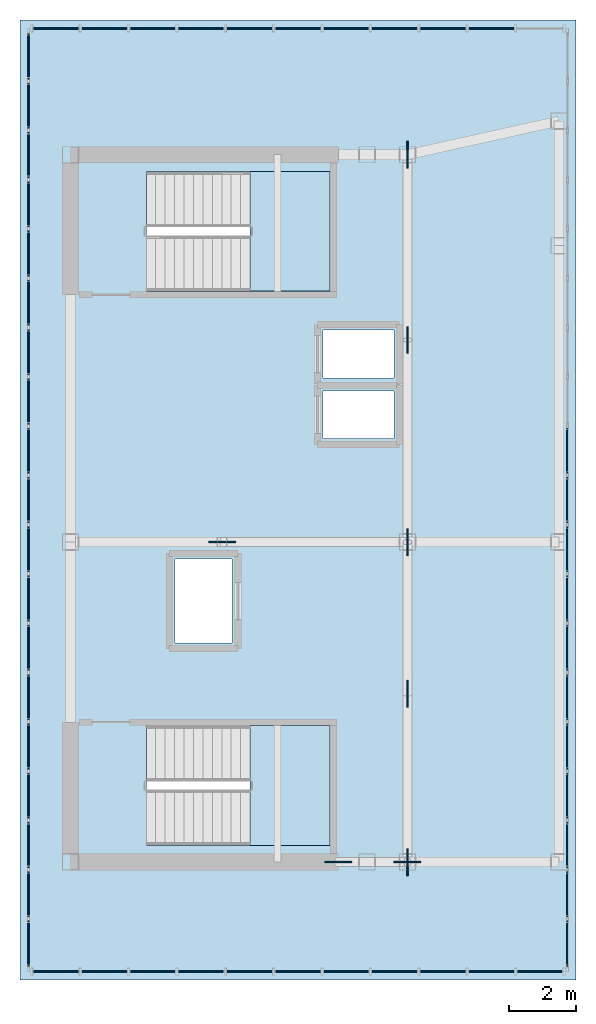
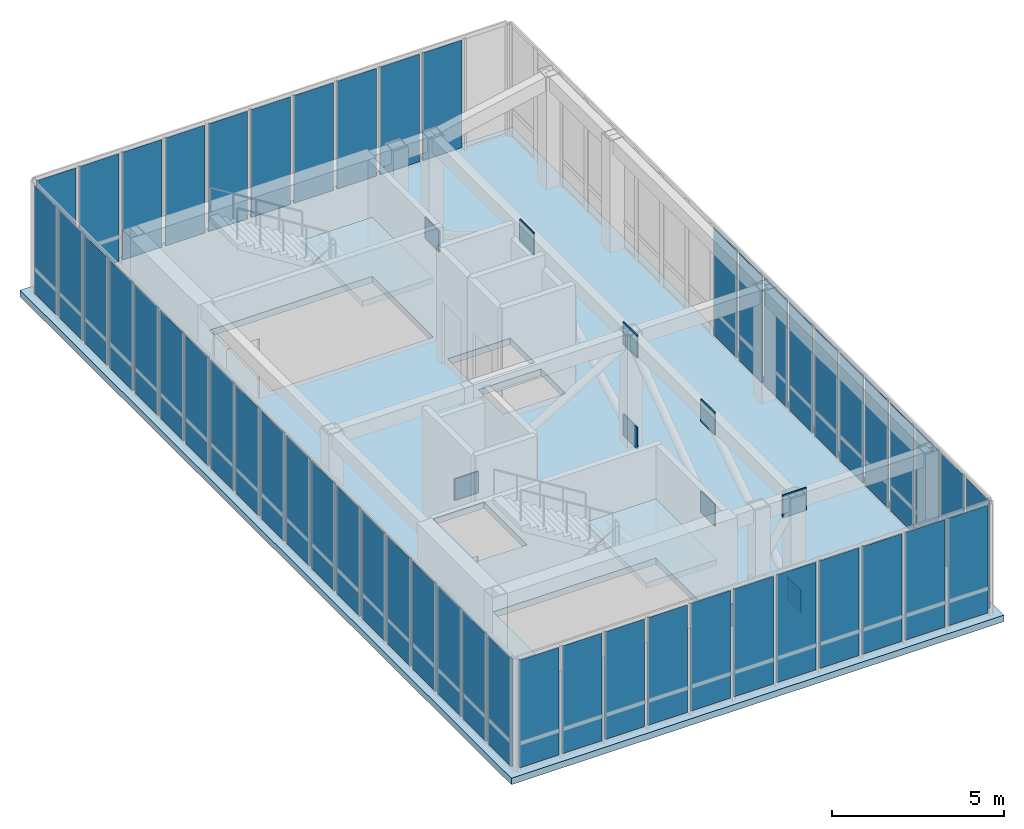
# One storey, part 11 of 13: 61 plates, 3 slabs, 6 elements without a shape of their own.
"""IFC4 building model written with IfcOpenShell, lengths in metres."""

from ifc_helpers import new_model, si_unit, direction, frame, origin, origin_2d, place, context, subcontext, project, spatial, polyline, rectangle, outline, extrude, source, transform, mapped, material, layer, layer_set, type_object, element, aggregate, save


model = new_model("IFC4")

# Units and contexts
model_context = context("Model", 3, precision=1e-05, world=origin(), true_north=direction((0.0, 1.0)))
body_context = subcontext(model_context, "Body", "Model", "MODEL_VIEW")
ifc_project = project(units=[si_unit("LENGTHUNIT", "METRE"), si_unit("AREAUNIT", "SQUARE_METRE"), si_unit("VOLUMEUNIT", "CUBIC_METRE"), si_unit("PLANEANGLEUNIT", "RADIAN"), si_unit("MASSUNIT", "GRAM", prefix="KILO")], contexts=[model_context])

# Site, building, storey
site_placement = place(None, origin())
site = spatial("IfcSite", under=ifc_project, at=site_placement, CompositionType="ELEMENT")
building_placement = place(site_placement, origin())
building = spatial("IfcBuilding", under=site, at=building_placement, Name="Kharzan Plaza Tower", CompositionType="ELEMENT")
storey_placement = place(building_placement, frame((0.0, 0.0, 289.800048828125)))
storey = spatial("IfcBuildingStorey", under=building, at=storey_placement, Name="L78-CROWN", CompositionType="ELEMENT", Elevation=289.800048828125)

# Slab
ifc_material_1 = material(Name="Concrete C40/50", Category="concrete")
ifc_layer_1 = layer(ifc_material_1, 0.22998046875)
ifc_layer_set_1 = layer_set([ifc_layer_1], Name="Concrete C40/50")
slab_type_1 = type_object("IfcSlabType", Name="SL-FLOOR-230", PredefinedType="FLOOR", material=ifc_layer_set_1)
slab_1_placement = place(storey_placement, frame((0.0, 0.0, -0.22998046875)))
element("IfcSlab", 1, at=slab_1_placement, inside=storey, type_object=slab_type_1, Name="L78-CROWN Composite Structural Floor Slab 230 mm", PredefinedType="FLOOR", context=body_context, shape_type="SweptSolid", body=[
    extrude(outline(polyline([(3.0, 5.0), (19.5, 5.0), (19.5, 33.5), (3.0, 33.5), (3.0, 5.0)]), holes=[polyline([(6.75, 12.550048828125), (6.75, 9.0), (12.199951171875, 9.0), (12.199951171875, 12.550048828125), (6.75, 12.550048828125)]), polyline([(7.60009765625, 17.5), (7.60009765625, 15.0), (9.300048828125, 15.0), (9.300048828125, 17.5), (7.60009765625, 17.5)]), polyline([(12.0, 22.489990234375), (12.0, 21.070068359375), (14.10009765625, 21.070068359375), (14.10009765625, 22.489990234375), (12.0, 22.489990234375)]), polyline([(14.10009765625, 24.2900390625), (12.0, 24.2900390625), (12.0, 22.8701171875), (14.10009765625, 22.8701171875), (14.10009765625, 24.2900390625)]), polyline([(12.199951171875, 29.0), (6.75, 29.0), (6.75, 25.449951171875), (12.199951171875, 25.449951171875), (12.199951171875, 29.0)])]), origin(), (0.0, 0.0, 1.0), 0.22998046875),
])

# Stair, slab
stair_type_1 = type_object("IfcStairType", Name="STR-ST-1", PredefinedType="HALF_TURN_STAIR", material=ifc_material_1)
stair_1_placement = place(storey_placement, origin())
stair_1 = element("IfcStair", 2, at=stair_1_placement, inside=storey, type_object=stair_type_1, Name="L78-CROWN Protected Exit Stair ST-1", PredefinedType="HALF_TURN_STAIR")
ifc_layer_2 = layer(ifc_material_1, 0.219970703125)
ifc_layer_set_2 = layer_set([ifc_layer_2], Name="Concrete C40/50")
slab_type_2 = type_object("IfcSlabType", Name="SL-LANDING-220", PredefinedType="LANDING", material=ifc_layer_set_2)
slab_2_placement = place(storey_placement, frame((0.0, 0.0, 1.89990234375)))
slab_2 = element("IfcSlab", 3, at=slab_2_placement, type_object=slab_type_2, Name="ST-1 landing 1", PredefinedType="LANDING", context=body_context, shape_type="SweptSolid", body=[
    extrude(outline(polyline([(9.830078125, 9.0), (12.199951171875, 9.0), (12.199951171875, 12.550048828125), (9.830078125, 12.550048828125), (9.830078125, 9.0)])), origin(), (0.0, 0.0, 1.0), 0.199951171875),
])
aggregate(stair_1, [slab_2])

stair_type_2 = type_object("IfcStairType", Name="STR-ST-2", PredefinedType="HALF_TURN_STAIR", material=ifc_material_1)
stair_2_placement = place(storey_placement, origin())
stair_2 = element("IfcStair", 4, at=stair_2_placement, inside=storey, type_object=stair_type_2, Name="L78-CROWN Protected Exit Stair ST-2", PredefinedType="HALF_TURN_STAIR")
slab_3_placement = place(storey_placement, frame((0.0, 0.0, 1.89990234375)))
slab_3 = element("IfcSlab", 5, at=slab_3_placement, type_object=slab_type_2, Name="ST-2 landing 1", PredefinedType="LANDING", context=body_context, shape_type="SweptSolid", body=[
    extrude(outline(polyline([(9.830078125, 25.449951171875), (12.199951171875, 25.449951171875), (12.199951171875, 29.0), (9.830078125, 29.0), (9.830078125, 25.449951171875)])), origin(), (0.0, 0.0, 1.0), 0.199951171875),
])
aggregate(stair_2, [slab_3])

# Plates
ifc_material_2 = material(Name="Steel S460", Category="steel")
ifc_layer_3 = layer(ifc_material_2, 0.044921875)
ifc_layer_set_3 = layer_set([ifc_layer_3], Name="Steel S460")
plate_type_1 = type_object("IfcPlateType", Name="PLT-OTN1", PredefinedType="USERDEFINED", material=ifc_layer_set_3)
shared_shape_1 = source(origin(), body_context, "Body", "SweptSolid", [
    extrude(rectangle(XDim=0.800048828125, YDim=0.0400390625, at=origin_2d()), origin(), (0.0, 0.0, 1.0), 0.800048828125),
])
for number, where, z_axis, x_axis, name in (
    (6, (14.5, 18.0, -0.05029296875), (0.0, 0.0, 1.0), (0.0, 1.0, 0.0), "L78-CROWN CROWN FRAME Brace End Gusset Plate OTN1-CRD-E1-A"),
    (7, (14.5, 29.5, -0.05029296875), (0.0, 0.0, 1.0), (0.0, -1.0, 0.0), "L78-CROWN CROWN FRAME Brace End Gusset Plate OTN1-CRD-N1-A"),
    (8, (14.5, 24.0, 3.2197265625), (0.0, 0.0, 1.0), (0.0, -1.0, 0.0), "L78-CROWN CROWN FRAME Brace End Gusset Plate OTN1-CRD-N1-B"),
    (9, (12.449951171875, 8.5, -0.05029296875), (0.0, 0.0, 1.0), (1.0, 0.0, 0.0), "L78-CROWN CROWN FRAME Brace End Gusset Plate OTN1-CRD-N2-A"),
    (10, (14.5, 8.5, 3.2197265625), (0.0, 0.0, 1.0), (1.0, 0.0, 0.0), "L78-CROWN CROWN FRAME Brace End Gusset Plate OTN1-CRD-N2-B"),
    (11, (14.5, 8.5, -0.05029296875), (0.0, 0.0, 1.0), (0.0, 1.0, 0.0), "L78-CROWN CROWN FRAME Brace End Gusset Plate OTN1-CRD-S1-A"),
    (12, (14.5, 13.5, 3.2197265625), (0.0, 0.0, 1.0), (0.0, 1.0, 0.0), "L78-CROWN CROWN FRAME Brace End Gusset Plate OTN1-CRD-S1-B"),
    (13, (14.5, 13.5, -0.05029296875), (0.0, 0.0, 1.0), (0.0, 1.0, 0.0), "L78-CROWN CROWN FRAME Brace End Gusset Plate OTN1-CRD-S2-A"),
    (14, (14.5, 18.0, 3.2197265625), (0.0, 0.0, 1.0), (0.0, 1.0, 0.0), "L78-CROWN CROWN FRAME Brace End Gusset Plate OTN1-CRD-S2-B"),
    (15, (9.0, 18.0, -0.05029296875), (0.0, 0.0, 1.0), (1.0, 0.0, 0.0), "L78-CROWN CROWN FRAME Brace End Gusset Plate OTN1-CRD-W1-A"),
):
    element("IfcPlate", number, at=place(storey_placement, frame(where, z_axis=z_axis, x_axis=x_axis)), inside=storey, type_object=plate_type_1, Name=name, ObjectType="GUSSET_PLATE", PredefinedType="USERDEFINED", context=body_context, shape_type="MappedRepresentation", body=[
        mapped(shared_shape_1, transform((0.0, 0.0, 0.0), x_axis=(1.0, 0.0, 0.0), y_axis=(0.0, 1.0, 0.0), z_axis=(0.0, 0.0, 1.0))),
    ])

# Curtain wall, plates
ifc_material_3 = material(Name="Unitised Bronze-Anodized Aluminium and Low-E Glass", Category="aluminium")
ifc_layer_4 = layer(ifc_material_3, 0.199951171875)
ifc_layer_set_4 = layer_set([ifc_layer_4], Name="Unitised Bronze-Anodized Aluminium and Low-E Glass")
curtain_wall_type = type_object("IfcCurtainWallType", Name="CW-LANTERN-6", PredefinedType="NOTDEFINED", material=ifc_layer_set_4)
curtain_wall_1_placement = place(storey_placement, origin())
curtain_wall_1 = element("IfcCurtainWall", 16, at=curtain_wall_1_placement, inside=storey, type_object=curtain_wall_type, Name="L78-CROWN Lantern Crown Illuminated Curtain Wall 1", PredefinedType="NOTDEFINED")
ifc_material_4 = material(Name="Low-Iron Fritted Lantern Crown Glazing", Category="glass")
ifc_layer_5 = layer(ifc_material_4, 0.035888671875)
ifc_layer_set_5 = layer_set([ifc_layer_5], Name="Low-Iron Fritted Lantern Crown Glazing")
plate_type_2 = type_object("IfcPlateType", Name="PLT-CW-LANTERN", PredefinedType="CURTAIN_PANEL", material=ifc_layer_set_5)
shared_shape_2 = source(origin(), body_context, "Body", "SweptSolid", [
    extrude(rectangle(XDim=1.31640625, YDim=0.035888671875, at=origin_2d()), origin(), (0.0, 0.0, 1.0), 3.81005859375),
])
plate_1_placement = place(storey_placement, frame((4.068115234375, 5.25, 0.079833984375), z_axis=(0.0, 0.0, 1.0), x_axis=(1.0, 0.0, 0.0)))
plate_1 = element("IfcPlate", 17, at=plate_1_placement, type_object=plate_type_2, Name="L78-CROWN Curtain-Wall Glazed Panel 00", PredefinedType="CURTAIN_PANEL", context=body_context, shape_type="MappedRepresentation", body=[
    mapped(shared_shape_2, transform((0.0, 0.0, 0.0), x_axis=(1.0, 0.0, 0.0), y_axis=(0.0, 1.0, 0.0), z_axis=(0.0, 0.0, 1.0))),
])
plate_2_placement = place(storey_placement, frame((5.50439453125, 5.25, 0.079833984375), z_axis=(0.0, 0.0, 1.0), x_axis=(1.0, 0.0, 0.0)))
plate_2 = element("IfcPlate", 18, at=plate_2_placement, type_object=plate_type_2, Name="L78-CROWN Curtain-Wall Glazed Panel 01", PredefinedType="CURTAIN_PANEL", context=body_context, shape_type="MappedRepresentation", body=[
    mapped(shared_shape_2, transform((0.0, 0.0, 0.0), x_axis=(1.0, 0.0, 0.0), y_axis=(0.0, 1.0, 0.0), z_axis=(0.0, 0.0, 1.0))),
])
plate_3_placement = place(storey_placement, frame((6.94091796875, 5.25, 0.079833984375), z_axis=(0.0, 0.0, 1.0), x_axis=(1.0, 0.0, 0.0)))
plate_3 = element("IfcPlate", 19, at=plate_3_placement, type_object=plate_type_2, Name="L78-CROWN Curtain-Wall Glazed Panel 02", PredefinedType="CURTAIN_PANEL", context=body_context, shape_type="MappedRepresentation", body=[
    mapped(shared_shape_2, transform((0.0, 0.0, 0.0), x_axis=(1.0, 0.0, 0.0), y_axis=(0.0, 1.0, 0.0), z_axis=(0.0, 0.0, 1.0))),
])
plate_4_placement = place(storey_placement, frame((8.377197265625, 5.25, 0.079833984375), z_axis=(0.0, 0.0, 1.0), x_axis=(1.0, 0.0, 0.0)))
plate_4 = element("IfcPlate", 20, at=plate_4_placement, type_object=plate_type_2, Name="L78-CROWN Curtain-Wall Glazed Panel 03", PredefinedType="CURTAIN_PANEL", context=body_context, shape_type="MappedRepresentation", body=[
    mapped(shared_shape_2, transform((0.0, 0.0, 0.0), x_axis=(1.0, 0.0, 0.0), y_axis=(0.0, 1.0, 0.0), z_axis=(0.0, 0.0, 1.0))),
])
plate_5_placement = place(storey_placement, frame((9.813720703125, 5.25, 0.079833984375), z_axis=(0.0, 0.0, 1.0), x_axis=(1.0, 0.0, 0.0)))
plate_5 = element("IfcPlate", 21, at=plate_5_placement, type_object=plate_type_2, Name="L78-CROWN Curtain-Wall Glazed Panel 04", PredefinedType="CURTAIN_PANEL", context=body_context, shape_type="MappedRepresentation", body=[
    mapped(shared_shape_2, transform((0.0, 0.0, 0.0), x_axis=(1.0, 0.0, 0.0), y_axis=(0.0, 1.0, 0.0), z_axis=(0.0, 0.0, 1.0))),
])
plate_6_placement = place(storey_placement, frame((11.25, 5.25, 0.079833984375), z_axis=(0.0, 0.0, 1.0), x_axis=(1.0, 0.0, 0.0)))
plate_6 = element("IfcPlate", 22, at=plate_6_placement, type_object=plate_type_2, Name="L78-CROWN Curtain-Wall Glazed Panel 05", PredefinedType="CURTAIN_PANEL", context=body_context, shape_type="MappedRepresentation", body=[
    mapped(shared_shape_2, transform((0.0, 0.0, 0.0), x_axis=(1.0, 0.0, 0.0), y_axis=(0.0, 1.0, 0.0), z_axis=(0.0, 0.0, 1.0))),
])
plate_7_placement = place(storey_placement, frame((12.686279296875, 5.25, 0.079833984375), z_axis=(0.0, 0.0, 1.0), x_axis=(1.0, 0.0, 0.0)))
plate_7 = element("IfcPlate", 23, at=plate_7_placement, type_object=plate_type_2, Name="L78-CROWN Curtain-Wall Glazed Panel 06", PredefinedType="CURTAIN_PANEL", context=body_context, shape_type="MappedRepresentation", body=[
    mapped(shared_shape_2, transform((0.0, 0.0, 0.0), x_axis=(1.0, 0.0, 0.0), y_axis=(0.0, 1.0, 0.0), z_axis=(0.0, 0.0, 1.0))),
])
plate_8_placement = place(storey_placement, frame((14.122802734375, 5.25, 0.079833984375), z_axis=(0.0, 0.0, 1.0), x_axis=(1.0, 0.0, 0.0)))
plate_8 = element("IfcPlate", 24, at=plate_8_placement, type_object=plate_type_2, Name="L78-CROWN Curtain-Wall Glazed Panel 07", PredefinedType="CURTAIN_PANEL", context=body_context, shape_type="MappedRepresentation", body=[
    mapped(shared_shape_2, transform((0.0, 0.0, 0.0), x_axis=(1.0, 0.0, 0.0), y_axis=(0.0, 1.0, 0.0), z_axis=(0.0, 0.0, 1.0))),
])
plate_9_placement = place(storey_placement, frame((15.55908203125, 5.25, 0.079833984375), z_axis=(0.0, 0.0, 1.0), x_axis=(1.0, 0.0, 0.0)))
plate_9 = element("IfcPlate", 25, at=plate_9_placement, type_object=plate_type_2, Name="L78-CROWN Curtain-Wall Glazed Panel 08", PredefinedType="CURTAIN_PANEL", context=body_context, shape_type="MappedRepresentation", body=[
    mapped(shared_shape_2, transform((0.0, 0.0, 0.0), x_axis=(1.0, 0.0, 0.0), y_axis=(0.0, 1.0, 0.0), z_axis=(0.0, 0.0, 1.0))),
])
plate_10_placement = place(storey_placement, frame((16.99560546875, 5.25, 0.079833984375), z_axis=(0.0, 0.0, 1.0), x_axis=(1.0, 0.0, 0.0)))
plate_10 = element("IfcPlate", 26, at=plate_10_placement, type_object=plate_type_2, Name="L78-CROWN Curtain-Wall Glazed Panel 09", PredefinedType="CURTAIN_PANEL", context=body_context, shape_type="MappedRepresentation", body=[
    mapped(shared_shape_2, transform((0.0, 0.0, 0.0), x_axis=(1.0, 0.0, 0.0), y_axis=(0.0, 1.0, 0.0), z_axis=(0.0, 0.0, 1.0))),
])
plate_11_placement = place(storey_placement, frame((18.431884765625, 5.25, 0.079833984375), z_axis=(0.0, 0.0, 1.0), x_axis=(1.0, 0.0, 0.0)))
plate_11 = element("IfcPlate", 27, at=plate_11_placement, type_object=plate_type_2, Name="L78-CROWN Curtain-Wall Glazed Panel 10", PredefinedType="CURTAIN_PANEL", context=body_context, shape_type="MappedRepresentation", body=[
    mapped(shared_shape_2, transform((0.0, 0.0, 0.0), x_axis=(1.0, 0.0, 0.0), y_axis=(0.0, 1.0, 0.0), z_axis=(0.0, 0.0, 1.0))),
])
aggregate(curtain_wall_1, [plate_1, plate_2, plate_3, plate_4, plate_5, plate_6, plate_7, plate_8, plate_9, plate_10, plate_11])

curtain_wall_2_placement = place(storey_placement, origin())
curtain_wall_2 = element("IfcCurtainWall", 28, at=curtain_wall_2_placement, inside=storey, type_object=curtain_wall_type, Name="L78-CROWN Lantern Crown Illuminated Curtain Wall 3", PredefinedType="NOTDEFINED")
plate_12_placement = place(storey_placement, frame((16.99560546875, 33.25, 0.079833984375), z_axis=(0.0, 0.0, 1.0), x_axis=(-1.0, 0.0, 0.0)))
plate_12 = element("IfcPlate", 29, at=plate_12_placement, type_object=plate_type_2, Name="L78-CROWN Curtain-Wall Glazed Panel 01", PredefinedType="CURTAIN_PANEL", context=body_context, shape_type="MappedRepresentation", body=[
    mapped(shared_shape_2, transform((0.0, 0.0, 0.0), x_axis=(1.0, 0.0, 0.0), y_axis=(0.0, 1.0, 0.0), z_axis=(0.0, 0.0, 1.0))),
])
plate_13_placement = place(storey_placement, frame((15.55908203125, 33.25, 0.079833984375), z_axis=(0.0, 0.0, 1.0), x_axis=(-1.0, 0.0, 0.0)))
plate_13 = element("IfcPlate", 30, at=plate_13_placement, type_object=plate_type_2, Name="L78-CROWN Curtain-Wall Glazed Panel 02", PredefinedType="CURTAIN_PANEL", context=body_context, shape_type="MappedRepresentation", body=[
    mapped(shared_shape_2, transform((0.0, 0.0, 0.0), x_axis=(1.0, 0.0, 0.0), y_axis=(0.0, 1.0, 0.0), z_axis=(0.0, 0.0, 1.0))),
])
plate_14_placement = place(storey_placement, frame((14.122802734375, 33.25, 0.079833984375), z_axis=(0.0, 0.0, 1.0), x_axis=(-1.0, 0.0, 0.0)))
plate_14 = element("IfcPlate", 31, at=plate_14_placement, type_object=plate_type_2, Name="L78-CROWN Curtain-Wall Glazed Panel 03", PredefinedType="CURTAIN_PANEL", context=body_context, shape_type="MappedRepresentation", body=[
    mapped(shared_shape_2, transform((0.0, 0.0, 0.0), x_axis=(1.0, 0.0, 0.0), y_axis=(0.0, 1.0, 0.0), z_axis=(0.0, 0.0, 1.0))),
])
plate_15_placement = place(storey_placement, frame((12.686279296875, 33.25, 0.079833984375), z_axis=(0.0, 0.0, 1.0), x_axis=(-1.0, 0.0, 0.0)))
plate_15 = element("IfcPlate", 32, at=plate_15_placement, type_object=plate_type_2, Name="L78-CROWN Curtain-Wall Glazed Panel 04", PredefinedType="CURTAIN_PANEL", context=body_context, shape_type="MappedRepresentation", body=[
    mapped(shared_shape_2, transform((0.0, 0.0, 0.0), x_axis=(1.0, 0.0, 0.0), y_axis=(0.0, 1.0, 0.0), z_axis=(0.0, 0.0, 1.0))),
])
plate_16_placement = place(storey_placement, frame((11.25, 33.25, 0.079833984375), z_axis=(0.0, 0.0, 1.0), x_axis=(-1.0, 0.0, 0.0)))
plate_16 = element("IfcPlate", 33, at=plate_16_placement, type_object=plate_type_2, Name="L78-CROWN Curtain-Wall Glazed Panel 05", PredefinedType="CURTAIN_PANEL", context=body_context, shape_type="MappedRepresentation", body=[
    mapped(shared_shape_2, transform((0.0, 0.0, 0.0), x_axis=(1.0, 0.0, 0.0), y_axis=(0.0, 1.0, 0.0), z_axis=(0.0, 0.0, 1.0))),
])
plate_17_placement = place(storey_placement, frame((9.813720703125, 33.25, 0.079833984375), z_axis=(0.0, 0.0, 1.0), x_axis=(-1.0, 0.0, 0.0)))
plate_17 = element("IfcPlate", 34, at=plate_17_placement, type_object=plate_type_2, Name="L78-CROWN Curtain-Wall Glazed Panel 06", PredefinedType="CURTAIN_PANEL", context=body_context, shape_type="MappedRepresentation", body=[
    mapped(shared_shape_2, transform((0.0, 0.0, 0.0), x_axis=(1.0, 0.0, 0.0), y_axis=(0.0, 1.0, 0.0), z_axis=(0.0, 0.0, 1.0))),
])
plate_18_placement = place(storey_placement, frame((8.377197265625, 33.25, 0.079833984375), z_axis=(0.0, 0.0, 1.0), x_axis=(-1.0, 0.0, 0.0)))
plate_18 = element("IfcPlate", 35, at=plate_18_placement, type_object=plate_type_2, Name="L78-CROWN Curtain-Wall Glazed Panel 07", PredefinedType="CURTAIN_PANEL", context=body_context, shape_type="MappedRepresentation", body=[
    mapped(shared_shape_2, transform((0.0, 0.0, 0.0), x_axis=(1.0, 0.0, 0.0), y_axis=(0.0, 1.0, 0.0), z_axis=(0.0, 0.0, 1.0))),
])
plate_19_placement = place(storey_placement, frame((6.94091796875, 33.25, 0.079833984375), z_axis=(0.0, 0.0, 1.0), x_axis=(-1.0, 0.0, 0.0)))
plate_19 = element("IfcPlate", 36, at=plate_19_placement, type_object=plate_type_2, Name="L78-CROWN Curtain-Wall Glazed Panel 08", PredefinedType="CURTAIN_PANEL", context=body_context, shape_type="MappedRepresentation", body=[
    mapped(shared_shape_2, transform((0.0, 0.0, 0.0), x_axis=(1.0, 0.0, 0.0), y_axis=(0.0, 1.0, 0.0), z_axis=(0.0, 0.0, 1.0))),
])
plate_20_placement = place(storey_placement, frame((5.50439453125, 33.25, 0.079833984375), z_axis=(0.0, 0.0, 1.0), x_axis=(-1.0, 0.0, 0.0)))
plate_20 = element("IfcPlate", 37, at=plate_20_placement, type_object=plate_type_2, Name="L78-CROWN Curtain-Wall Glazed Panel 09", PredefinedType="CURTAIN_PANEL", context=body_context, shape_type="MappedRepresentation", body=[
    mapped(shared_shape_2, transform((0.0, 0.0, 0.0), x_axis=(1.0, 0.0, 0.0), y_axis=(0.0, 1.0, 0.0), z_axis=(0.0, 0.0, 1.0))),
])
plate_21_placement = place(storey_placement, frame((4.068115234375, 33.25, 0.079833984375), z_axis=(0.0, 0.0, 1.0), x_axis=(-1.0, 0.0, 0.0)))
plate_21 = element("IfcPlate", 38, at=plate_21_placement, type_object=plate_type_2, Name="L78-CROWN Curtain-Wall Glazed Panel 10", PredefinedType="CURTAIN_PANEL", context=body_context, shape_type="MappedRepresentation", body=[
    mapped(shared_shape_2, transform((0.0, 0.0, 0.0), x_axis=(1.0, 0.0, 0.0), y_axis=(0.0, 1.0, 0.0), z_axis=(0.0, 0.0, 1.0))),
])
aggregate(curtain_wall_2, [plate_12, plate_13, plate_14, plate_15, plate_16, plate_17, plate_18, plate_19, plate_20, plate_21])

curtain_wall_3_placement = place(storey_placement, origin())
curtain_wall_3 = element("IfcCurtainWall", 39, at=curtain_wall_3_placement, inside=storey, type_object=curtain_wall_type, Name="L78-CROWN Lantern Crown Illuminated Curtain Wall 2", PredefinedType="NOTDEFINED")
shared_shape_3 = source(origin(), body_context, "Body", "SweptSolid", [
    extrude(rectangle(XDim=1.34326171875, YDim=0.035888671875, at=origin_2d()), origin(), (0.0, 0.0, 1.0), 3.81005859375),
])
plate_22_placement = place(storey_placement, frame((19.25, 6.08154296875, 0.079833984375), z_axis=(0.0, 0.0, 1.0), x_axis=(0.0, 1.0, 0.0)))
plate_22 = element("IfcPlate", 40, at=plate_22_placement, type_object=plate_type_2, Name="L78-CROWN Curtain-Wall Glazed Panel 00", PredefinedType="CURTAIN_PANEL", context=body_context, shape_type="MappedRepresentation", body=[
    mapped(shared_shape_3, transform((0.0, 0.0, 0.0), x_axis=(1.0, 0.0, 0.0), y_axis=(0.0, 1.0, 0.0), z_axis=(0.0, 0.0, 1.0))),
])
plate_23_placement = place(storey_placement, frame((19.25, 7.544677734375, 0.079833984375), z_axis=(0.0, 0.0, 1.0), x_axis=(0.0, 1.0, 0.0)))
plate_23 = element("IfcPlate", 41, at=plate_23_placement, type_object=plate_type_2, Name="L78-CROWN Curtain-Wall Glazed Panel 01", PredefinedType="CURTAIN_PANEL", context=body_context, shape_type="MappedRepresentation", body=[
    mapped(shared_shape_3, transform((0.0, 0.0, 0.0), x_axis=(1.0, 0.0, 0.0), y_axis=(0.0, 1.0, 0.0), z_axis=(0.0, 0.0, 1.0))),
])
plate_24_placement = place(storey_placement, frame((19.25, 9.0078125, 0.079833984375), z_axis=(0.0, 0.0, 1.0), x_axis=(0.0, 1.0, 0.0)))
plate_24 = element("IfcPlate", 42, at=plate_24_placement, type_object=plate_type_2, Name="L78-CROWN Curtain-Wall Glazed Panel 02", PredefinedType="CURTAIN_PANEL", context=body_context, shape_type="MappedRepresentation", body=[
    mapped(shared_shape_3, transform((0.0, 0.0, 0.0), x_axis=(1.0, 0.0, 0.0), y_axis=(0.0, 1.0, 0.0), z_axis=(0.0, 0.0, 1.0))),
])
plate_25_placement = place(storey_placement, frame((19.25, 10.47119140625, 0.079833984375), z_axis=(0.0, 0.0, 1.0), x_axis=(0.0, 1.0, 0.0)))
plate_25 = element("IfcPlate", 43, at=plate_25_placement, type_object=plate_type_2, Name="L78-CROWN Curtain-Wall Glazed Panel 03", PredefinedType="CURTAIN_PANEL", context=body_context, shape_type="MappedRepresentation", body=[
    mapped(shared_shape_3, transform((0.0, 0.0, 0.0), x_axis=(1.0, 0.0, 0.0), y_axis=(0.0, 1.0, 0.0), z_axis=(0.0, 0.0, 1.0))),
])
plate_26_placement = place(storey_placement, frame((19.25, 11.93408203125, 0.079833984375), z_axis=(0.0, 0.0, 1.0), x_axis=(0.0, 1.0, 0.0)))
plate_26 = element("IfcPlate", 44, at=plate_26_placement, type_object=plate_type_2, Name="L78-CROWN Curtain-Wall Glazed Panel 04", PredefinedType="CURTAIN_PANEL", context=body_context, shape_type="MappedRepresentation", body=[
    mapped(shared_shape_3, transform((0.0, 0.0, 0.0), x_axis=(1.0, 0.0, 0.0), y_axis=(0.0, 1.0, 0.0), z_axis=(0.0, 0.0, 1.0))),
])
plate_27_placement = place(storey_placement, frame((19.25, 13.3974609375, 0.079833984375), z_axis=(0.0, 0.0, 1.0), x_axis=(0.0, 1.0, 0.0)))
plate_27 = element("IfcPlate", 45, at=plate_27_placement, type_object=plate_type_2, Name="L78-CROWN Curtain-Wall Glazed Panel 05", PredefinedType="CURTAIN_PANEL", context=body_context, shape_type="MappedRepresentation", body=[
    mapped(shared_shape_3, transform((0.0, 0.0, 0.0), x_axis=(1.0, 0.0, 0.0), y_axis=(0.0, 1.0, 0.0), z_axis=(0.0, 0.0, 1.0))),
])
plate_28_placement = place(storey_placement, frame((19.25, 14.860595703125, 0.079833984375), z_axis=(0.0, 0.0, 1.0), x_axis=(0.0, 1.0, 0.0)))
plate_28 = element("IfcPlate", 46, at=plate_28_placement, type_object=plate_type_2, Name="L78-CROWN Curtain-Wall Glazed Panel 06", PredefinedType="CURTAIN_PANEL", context=body_context, shape_type="MappedRepresentation", body=[
    mapped(shared_shape_3, transform((0.0, 0.0, 0.0), x_axis=(1.0, 0.0, 0.0), y_axis=(0.0, 1.0, 0.0), z_axis=(0.0, 0.0, 1.0))),
])
plate_29_placement = place(storey_placement, frame((19.25, 16.32373046875, 0.079833984375), z_axis=(0.0, 0.0, 1.0), x_axis=(0.0, 1.0, 0.0)))
plate_29 = element("IfcPlate", 47, at=plate_29_placement, type_object=plate_type_2, Name="L78-CROWN Curtain-Wall Glazed Panel 07", PredefinedType="CURTAIN_PANEL", context=body_context, shape_type="MappedRepresentation", body=[
    mapped(shared_shape_3, transform((0.0, 0.0, 0.0), x_axis=(1.0, 0.0, 0.0), y_axis=(0.0, 1.0, 0.0), z_axis=(0.0, 0.0, 1.0))),
])
plate_30_placement = place(storey_placement, frame((19.25, 17.786865234375, 0.079833984375), z_axis=(0.0, 0.0, 1.0), x_axis=(0.0, 1.0, 0.0)))
plate_30 = element("IfcPlate", 48, at=plate_30_placement, type_object=plate_type_2, Name="L78-CROWN Curtain-Wall Glazed Panel 08", PredefinedType="CURTAIN_PANEL", context=body_context, shape_type="MappedRepresentation", body=[
    mapped(shared_shape_3, transform((0.0, 0.0, 0.0), x_axis=(1.0, 0.0, 0.0), y_axis=(0.0, 1.0, 0.0), z_axis=(0.0, 0.0, 1.0))),
])
plate_31_placement = place(storey_placement, frame((19.25, 19.25, 0.079833984375), z_axis=(0.0, 0.0, 1.0), x_axis=(0.0, 1.0, 0.0)))
plate_31 = element("IfcPlate", 49, at=plate_31_placement, type_object=plate_type_2, Name="L78-CROWN Curtain-Wall Glazed Panel 09", PredefinedType="CURTAIN_PANEL", context=body_context, shape_type="MappedRepresentation", body=[
    mapped(shared_shape_3, transform((0.0, 0.0, 0.0), x_axis=(1.0, 0.0, 0.0), y_axis=(0.0, 1.0, 0.0), z_axis=(0.0, 0.0, 1.0))),
])
plate_32_placement = place(storey_placement, frame((19.25, 20.713134765625, 0.079833984375), z_axis=(0.0, 0.0, 1.0), x_axis=(0.0, 1.0, 0.0)))
plate_32 = element("IfcPlate", 50, at=plate_32_placement, type_object=plate_type_2, Name="L78-CROWN Curtain-Wall Glazed Panel 10", PredefinedType="CURTAIN_PANEL", context=body_context, shape_type="MappedRepresentation", body=[
    mapped(shared_shape_3, transform((0.0, 0.0, 0.0), x_axis=(1.0, 0.0, 0.0), y_axis=(0.0, 1.0, 0.0), z_axis=(0.0, 0.0, 1.0))),
])
aggregate(curtain_wall_3, [plate_22, plate_23, plate_24, plate_25, plate_26, plate_27, plate_28, plate_29, plate_30, plate_31, plate_32])

curtain_wall_4_placement = place(storey_placement, origin())
curtain_wall_4 = element("IfcCurtainWall", 51, at=curtain_wall_4_placement, inside=storey, type_object=curtain_wall_type, Name="L78-CROWN Lantern Crown Illuminated Curtain Wall 4", PredefinedType="NOTDEFINED")
plate_33_placement = place(storey_placement, frame((3.25, 32.41845703125, 0.079833984375), z_axis=(0.0, 0.0, 1.0), x_axis=(0.0, -1.0, 0.0)))
plate_33 = element("IfcPlate", 52, at=plate_33_placement, type_object=plate_type_2, Name="L78-CROWN Curtain-Wall Glazed Panel 00", PredefinedType="CURTAIN_PANEL", context=body_context, shape_type="MappedRepresentation", body=[
    mapped(shared_shape_3, transform((0.0, 0.0, 0.0), x_axis=(1.0, 0.0, 0.0), y_axis=(0.0, 1.0, 0.0), z_axis=(0.0, 0.0, 1.0))),
])
plate_34_placement = place(storey_placement, frame((3.25, 30.955322265625, 0.079833984375), z_axis=(0.0, 0.0, 1.0), x_axis=(0.0, -1.0, 0.0)))
plate_34 = element("IfcPlate", 53, at=plate_34_placement, type_object=plate_type_2, Name="L78-CROWN Curtain-Wall Glazed Panel 01", PredefinedType="CURTAIN_PANEL", context=body_context, shape_type="MappedRepresentation", body=[
    mapped(shared_shape_3, transform((0.0, 0.0, 0.0), x_axis=(1.0, 0.0, 0.0), y_axis=(0.0, 1.0, 0.0), z_axis=(0.0, 0.0, 1.0))),
])
plate_35_placement = place(storey_placement, frame((3.25, 29.4921875, 0.079833984375), z_axis=(0.0, 0.0, 1.0), x_axis=(0.0, -1.0, 0.0)))
plate_35 = element("IfcPlate", 54, at=plate_35_placement, type_object=plate_type_2, Name="L78-CROWN Curtain-Wall Glazed Panel 02", PredefinedType="CURTAIN_PANEL", context=body_context, shape_type="MappedRepresentation", body=[
    mapped(shared_shape_3, transform((0.0, 0.0, 0.0), x_axis=(1.0, 0.0, 0.0), y_axis=(0.0, 1.0, 0.0), z_axis=(0.0, 0.0, 1.0))),
])
plate_36_placement = place(storey_placement, frame((3.25, 28.02880859375, 0.079833984375), z_axis=(0.0, 0.0, 1.0), x_axis=(0.0, -1.0, 0.0)))
plate_36 = element("IfcPlate", 55, at=plate_36_placement, type_object=plate_type_2, Name="L78-CROWN Curtain-Wall Glazed Panel 03", PredefinedType="CURTAIN_PANEL", context=body_context, shape_type="MappedRepresentation", body=[
    mapped(shared_shape_3, transform((0.0, 0.0, 0.0), x_axis=(1.0, 0.0, 0.0), y_axis=(0.0, 1.0, 0.0), z_axis=(0.0, 0.0, 1.0))),
])
plate_37_placement = place(storey_placement, frame((3.25, 26.56591796875, 0.079833984375), z_axis=(0.0, 0.0, 1.0), x_axis=(0.0, -1.0, 0.0)))
plate_37 = element("IfcPlate", 56, at=plate_37_placement, type_object=plate_type_2, Name="L78-CROWN Curtain-Wall Glazed Panel 04", PredefinedType="CURTAIN_PANEL", context=body_context, shape_type="MappedRepresentation", body=[
    mapped(shared_shape_3, transform((0.0, 0.0, 0.0), x_axis=(1.0, 0.0, 0.0), y_axis=(0.0, 1.0, 0.0), z_axis=(0.0, 0.0, 1.0))),
])
plate_38_placement = place(storey_placement, frame((3.25, 25.1025390625, 0.079833984375), z_axis=(0.0, 0.0, 1.0), x_axis=(0.0, -1.0, 0.0)))
plate_38 = element("IfcPlate", 57, at=plate_38_placement, type_object=plate_type_2, Name="L78-CROWN Curtain-Wall Glazed Panel 05", PredefinedType="CURTAIN_PANEL", context=body_context, shape_type="MappedRepresentation", body=[
    mapped(shared_shape_3, transform((0.0, 0.0, 0.0), x_axis=(1.0, 0.0, 0.0), y_axis=(0.0, 1.0, 0.0), z_axis=(0.0, 0.0, 1.0))),
])
plate_39_placement = place(storey_placement, frame((3.25, 23.639404296875, 0.079833984375), z_axis=(0.0, 0.0, 1.0), x_axis=(0.0, -1.0, 0.0)))
plate_39 = element("IfcPlate", 58, at=plate_39_placement, type_object=plate_type_2, Name="L78-CROWN Curtain-Wall Glazed Panel 06", PredefinedType="CURTAIN_PANEL", context=body_context, shape_type="MappedRepresentation", body=[
    mapped(shared_shape_3, transform((0.0, 0.0, 0.0), x_axis=(1.0, 0.0, 0.0), y_axis=(0.0, 1.0, 0.0), z_axis=(0.0, 0.0, 1.0))),
])
plate_40_placement = place(storey_placement, frame((3.25, 22.17626953125, 0.079833984375), z_axis=(0.0, 0.0, 1.0), x_axis=(0.0, -1.0, 0.0)))
plate_40 = element("IfcPlate", 59, at=plate_40_placement, type_object=plate_type_2, Name="L78-CROWN Curtain-Wall Glazed Panel 07", PredefinedType="CURTAIN_PANEL", context=body_context, shape_type="MappedRepresentation", body=[
    mapped(shared_shape_3, transform((0.0, 0.0, 0.0), x_axis=(1.0, 0.0, 0.0), y_axis=(0.0, 1.0, 0.0), z_axis=(0.0, 0.0, 1.0))),
])
plate_41_placement = place(storey_placement, frame((3.25, 20.713134765625, 0.079833984375), z_axis=(0.0, 0.0, 1.0), x_axis=(0.0, -1.0, 0.0)))
plate_41 = element("IfcPlate", 60, at=plate_41_placement, type_object=plate_type_2, Name="L78-CROWN Curtain-Wall Glazed Panel 08", PredefinedType="CURTAIN_PANEL", context=body_context, shape_type="MappedRepresentation", body=[
    mapped(shared_shape_3, transform((0.0, 0.0, 0.0), x_axis=(1.0, 0.0, 0.0), y_axis=(0.0, 1.0, 0.0), z_axis=(0.0, 0.0, 1.0))),
])
plate_42_placement = place(storey_placement, frame((3.25, 19.25, 0.079833984375), z_axis=(0.0, 0.0, 1.0), x_axis=(0.0, -1.0, 0.0)))
plate_42 = element("IfcPlate", 61, at=plate_42_placement, type_object=plate_type_2, Name="L78-CROWN Curtain-Wall Glazed Panel 09", PredefinedType="CURTAIN_PANEL", context=body_context, shape_type="MappedRepresentation", body=[
    mapped(shared_shape_3, transform((0.0, 0.0, 0.0), x_axis=(1.0, 0.0, 0.0), y_axis=(0.0, 1.0, 0.0), z_axis=(0.0, 0.0, 1.0))),
])
plate_43_placement = place(storey_placement, frame((3.25, 17.786865234375, 0.079833984375), z_axis=(0.0, 0.0, 1.0), x_axis=(0.0, -1.0, 0.0)))
plate_43 = element("IfcPlate", 62, at=plate_43_placement, type_object=plate_type_2, Name="L78-CROWN Curtain-Wall Glazed Panel 10", PredefinedType="CURTAIN_PANEL", context=body_context, shape_type="MappedRepresentation", body=[
    mapped(shared_shape_3, transform((0.0, 0.0, 0.0), x_axis=(1.0, 0.0, 0.0), y_axis=(0.0, 1.0, 0.0), z_axis=(0.0, 0.0, 1.0))),
])
plate_44_placement = place(storey_placement, frame((3.25, 16.32373046875, 0.079833984375), z_axis=(0.0, 0.0, 1.0), x_axis=(0.0, -1.0, 0.0)))
plate_44 = element("IfcPlate", 63, at=plate_44_placement, type_object=plate_type_2, Name="L78-CROWN Curtain-Wall Glazed Panel 11", PredefinedType="CURTAIN_PANEL", context=body_context, shape_type="MappedRepresentation", body=[
    mapped(shared_shape_3, transform((0.0, 0.0, 0.0), x_axis=(1.0, 0.0, 0.0), y_axis=(0.0, 1.0, 0.0), z_axis=(0.0, 0.0, 1.0))),
])
plate_45_placement = place(storey_placement, frame((3.25, 14.860595703125, 0.079833984375), z_axis=(0.0, 0.0, 1.0), x_axis=(0.0, -1.0, 0.0)))
plate_45 = element("IfcPlate", 64, at=plate_45_placement, type_object=plate_type_2, Name="L78-CROWN Curtain-Wall Glazed Panel 12", PredefinedType="CURTAIN_PANEL", context=body_context, shape_type="MappedRepresentation", body=[
    mapped(shared_shape_3, transform((0.0, 0.0, 0.0), x_axis=(1.0, 0.0, 0.0), y_axis=(0.0, 1.0, 0.0), z_axis=(0.0, 0.0, 1.0))),
])
plate_46_placement = place(storey_placement, frame((3.25, 13.3974609375, 0.079833984375), z_axis=(0.0, 0.0, 1.0), x_axis=(0.0, -1.0, 0.0)))
plate_46 = element("IfcPlate", 65, at=plate_46_placement, type_object=plate_type_2, Name="L78-CROWN Curtain-Wall Glazed Panel 13", PredefinedType="CURTAIN_PANEL", context=body_context, shape_type="MappedRepresentation", body=[
    mapped(shared_shape_3, transform((0.0, 0.0, 0.0), x_axis=(1.0, 0.0, 0.0), y_axis=(0.0, 1.0, 0.0), z_axis=(0.0, 0.0, 1.0))),
])
plate_47_placement = place(storey_placement, frame((3.25, 11.93408203125, 0.079833984375), z_axis=(0.0, 0.0, 1.0), x_axis=(0.0, -1.0, 0.0)))
plate_47 = element("IfcPlate", 66, at=plate_47_placement, type_object=plate_type_2, Name="L78-CROWN Curtain-Wall Glazed Panel 14", PredefinedType="CURTAIN_PANEL", context=body_context, shape_type="MappedRepresentation", body=[
    mapped(shared_shape_3, transform((0.0, 0.0, 0.0), x_axis=(1.0, 0.0, 0.0), y_axis=(0.0, 1.0, 0.0), z_axis=(0.0, 0.0, 1.0))),
])
plate_48_placement = place(storey_placement, frame((3.25, 10.47119140625, 0.079833984375), z_axis=(0.0, 0.0, 1.0), x_axis=(0.0, -1.0, 0.0)))
plate_48 = element("IfcPlate", 67, at=plate_48_placement, type_object=plate_type_2, Name="L78-CROWN Curtain-Wall Glazed Panel 15", PredefinedType="CURTAIN_PANEL", context=body_context, shape_type="MappedRepresentation", body=[
    mapped(shared_shape_3, transform((0.0, 0.0, 0.0), x_axis=(1.0, 0.0, 0.0), y_axis=(0.0, 1.0, 0.0), z_axis=(0.0, 0.0, 1.0))),
])
plate_49_placement = place(storey_placement, frame((3.25, 9.0078125, 0.079833984375), z_axis=(0.0, 0.0, 1.0), x_axis=(0.0, -1.0, 0.0)))
plate_49 = element("IfcPlate", 68, at=plate_49_placement, type_object=plate_type_2, Name="L78-CROWN Curtain-Wall Glazed Panel 16", PredefinedType="CURTAIN_PANEL", context=body_context, shape_type="MappedRepresentation", body=[
    mapped(shared_shape_3, transform((0.0, 0.0, 0.0), x_axis=(1.0, 0.0, 0.0), y_axis=(0.0, 1.0, 0.0), z_axis=(0.0, 0.0, 1.0))),
])
plate_50_placement = place(storey_placement, frame((3.25, 7.544677734375, 0.079833984375), z_axis=(0.0, 0.0, 1.0), x_axis=(0.0, -1.0, 0.0)))
plate_50 = element("IfcPlate", 69, at=plate_50_placement, type_object=plate_type_2, Name="L78-CROWN Curtain-Wall Glazed Panel 17", PredefinedType="CURTAIN_PANEL", context=body_context, shape_type="MappedRepresentation", body=[
    mapped(shared_shape_3, transform((0.0, 0.0, 0.0), x_axis=(1.0, 0.0, 0.0), y_axis=(0.0, 1.0, 0.0), z_axis=(0.0, 0.0, 1.0))),
])
plate_51_placement = place(storey_placement, frame((3.25, 6.08154296875, 0.079833984375), z_axis=(0.0, 0.0, 1.0), x_axis=(0.0, -1.0, 0.0)))
plate_51 = element("IfcPlate", 70, at=plate_51_placement, type_object=plate_type_2, Name="L78-CROWN Curtain-Wall Glazed Panel 18", PredefinedType="CURTAIN_PANEL", context=body_context, shape_type="MappedRepresentation", body=[
    mapped(shared_shape_3, transform((0.0, 0.0, 0.0), x_axis=(1.0, 0.0, 0.0), y_axis=(0.0, 1.0, 0.0), z_axis=(0.0, 0.0, 1.0))),
])
aggregate(curtain_wall_4, [plate_33, plate_34, plate_35, plate_36, plate_37, plate_38, plate_39, plate_40, plate_41, plate_42, plate_43, plate_44, plate_45, plate_46, plate_47, plate_48, plate_49, plate_50, plate_51])

save(model, "model.ifc")
